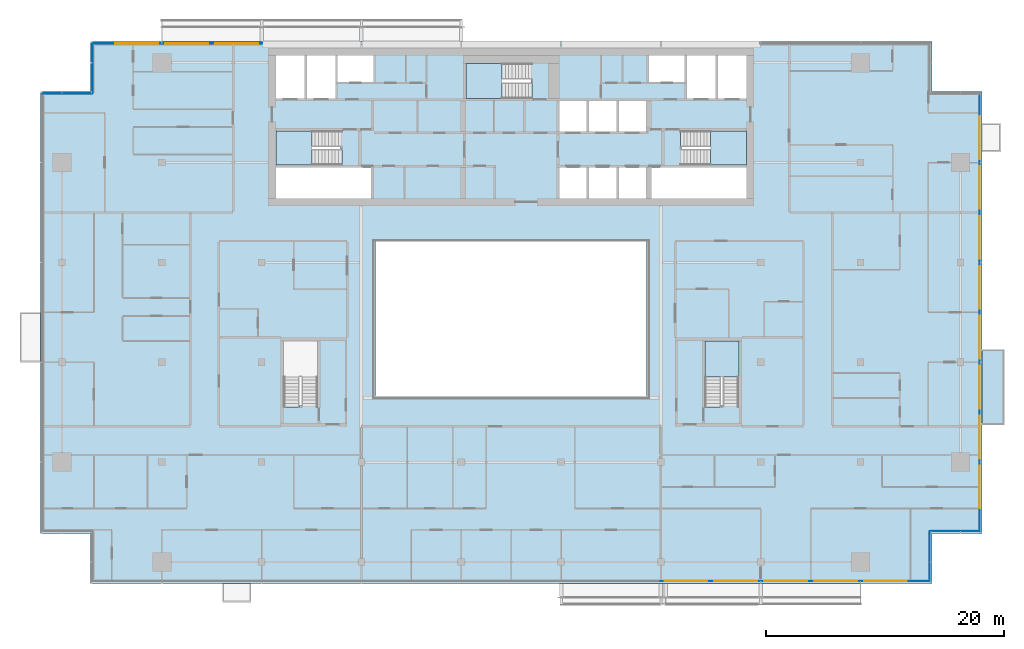
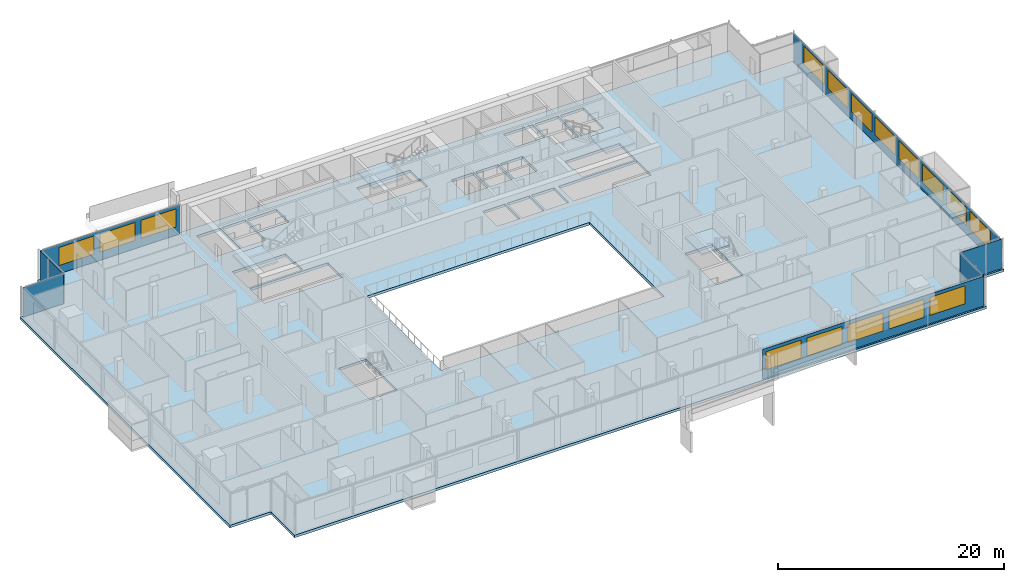
# One storey, part 15 of 27: 16 windows, 7 plates, 6 slabs, 16 openings, 11 elements without a shape of their own.
"""IFC4 building model written with IfcOpenShell, lengths in metres."""

from ifc_helpers import new_model, si_unit, direction, frame, frame_2d, origin, place, context, subcontext, project, spatial, polyline, rectangle, outline, extrude, material, layer, layer_set, type_object, element, fill, aggregate, save


model = new_model("IFC4")

# Units and contexts
model_context = context("Model", 3, precision=1e-05, world=origin(), true_north=direction((0.0, 1.0)))
body_context = subcontext(model_context, "Body", "Model", "MODEL_VIEW")
ifc_project = project(units=[si_unit("LENGTHUNIT", "METRE"), si_unit("AREAUNIT", "SQUARE_METRE"), si_unit("VOLUMEUNIT", "CUBIC_METRE"), si_unit("PLANEANGLEUNIT", "RADIAN"), si_unit("MASSUNIT", "GRAM", prefix="KILO")], contexts=[model_context])

# Site, building, storey
site_placement = place(None, origin())
site = spatial("IfcSite", under=ifc_project, at=site_placement, CompositionType="ELEMENT")
building_placement = place(site_placement, origin())
building = spatial("IfcBuilding", under=site, at=building_placement, Name="Saffron Gate Tower", CompositionType="ELEMENT")
storey_placement = place(building_placement, frame((0.0, 0.0, 234.300048828125)))
storey = spatial("IfcBuildingStorey", under=building, at=storey_placement, Name="L57", CompositionType="ELEMENT", Elevation=234.300048828125)

# Curtain wall, plate, openings, windows
ifc_material_1 = material(Name="Aluminium, bronze anodised", Category="aluminium")
curtain_wall_type_1 = type_object("IfcCurtainWallType", Name="CWS1 curtain wall front facade", PredefinedType="NOTDEFINED", material=ifc_material_1)
curtain_wall_1_placement = place(storey_placement, origin())
curtain_wall_1 = element("IfcCurtainWall", 1, at=curtain_wall_1_placement, inside=storey, type_object=curtain_wall_type_1, Name="CWS1 run 1", PredefinedType="NOTDEFINED")
ifc_material_2 = material(Name="Fritted bronze-tinted laminated glass", Category="glass")
ifc_layer_1 = layer(ifc_material_2, 0.028076171875)
ifc_layer_set_1 = layer_set([ifc_layer_1], Name="CWS1 fixed glass")
plate_type_1 = type_object("IfcPlateType", Name="CWS1 fixed glass", PredefinedType="CURTAIN_PANEL", material=ifc_layer_set_1)
plate_1_placement = place(storey_placement, frame((100.169921875, 30.174072265625, 0.0), z_axis=(0.0, 0.0, 1.0), x_axis=(1.0, 0.0, 0.0)))
plate_1 = element("IfcPlate", 2, at=plate_1_placement, type_object=plate_type_1, Name="CWS1 glass panel", PredefinedType="CURTAIN_PANEL", context=body_context, shape_type="SweptSolid", body=[
    extrude(rectangle(XDim=22.64208984375, YDim=0.028076171875, at=frame_2d((11.321044921875, 0.0))), origin(), (0.0, 0.0, 1.0), 3.199951171875),
])
opening_1_placement = place(plate_1_placement, frame((0.330078125, 0.0, 0.89990234375)))
opening_1 = element("IfcOpeningElement", 3, at=opening_1_placement, cuts=plate_1, Name="Opening W1", PredefinedType="OPENING", context=body_context, shape_type="SweptSolid", body=[
    extrude(rectangle(XDim=3.60009765625, YDim=1.949951171875, at=frame_2d((1.800048828125, 0.97509765625))), frame((0.0, 0.02392578125, 0.0), z_axis=(0.0, -1.0, 0.0), x_axis=(1.0, 0.0, 0.0)), (0.0, 0.0, 1.0), 0.048095703125),
])
opening_2_placement = place(plate_1_placement, frame((4.530029296875, 0.0, 0.89990234375)))
opening_2 = element("IfcOpeningElement", 4, at=opening_2_placement, cuts=plate_1, Name="Opening W1", PredefinedType="OPENING", context=body_context, shape_type="SweptSolid", body=[
    extrude(rectangle(XDim=3.60009765625, YDim=1.949951171875, at=frame_2d((1.800048828125, 0.97509765625))), frame((0.0, 0.02392578125, 0.0), z_axis=(0.0, -1.0, 0.0), x_axis=(1.0, 0.0, 0.0)), (0.0, 0.0, 1.0), 0.048095703125),
])
opening_3_placement = place(plate_1_placement, frame((8.72998046875, 0.0, 0.89990234375)))
opening_3 = element("IfcOpeningElement", 5, at=opening_3_placement, cuts=plate_1, Name="Opening W1", PredefinedType="OPENING", context=body_context, shape_type="SweptSolid", body=[
    extrude(rectangle(XDim=3.60009765625, YDim=1.949951171875, at=frame_2d((1.800048828125, 0.97509765625))), frame((0.0, 0.02392578125, 0.0), z_axis=(0.0, -1.0, 0.0), x_axis=(1.0, 0.0, 0.0)), (0.0, 0.0, 1.0), 0.048095703125),
])
opening_4_placement = place(plate_1_placement, frame((12.929931640625, 0.0, 0.89990234375)))
opening_4 = element("IfcOpeningElement", 6, at=opening_4_placement, cuts=plate_1, Name="Opening W1", PredefinedType="OPENING", context=body_context, shape_type="SweptSolid", body=[
    extrude(rectangle(XDim=3.60009765625, YDim=1.949951171875, at=frame_2d((1.800048828125, 0.97509765625))), frame((0.0, 0.02392578125, 0.0), z_axis=(0.0, -1.0, 0.0), x_axis=(1.0, 0.0, 0.0)), (0.0, 0.0, 1.0), 0.048095703125),
])
opening_5_placement = place(plate_1_placement, frame((17.1298828125, 0.0, 0.89990234375)))
opening_5 = element("IfcOpeningElement", 7, at=opening_5_placement, cuts=plate_1, Name="Opening W1", PredefinedType="OPENING", context=body_context, shape_type="SweptSolid", body=[
    extrude(rectangle(XDim=3.60009765625, YDim=1.949951171875, at=frame_2d((1.800048828125, 0.97509765625))), frame((0.0, 0.02392578125, 0.0), z_axis=(0.0, -1.0, 0.0), x_axis=(1.0, 0.0, 0.0)), (0.0, 0.0, 1.0), 0.048095703125),
])
ifc_material_3 = material(Name="Fritted bronze-tinted laminated glass in bronze frame", Category="glass")
ifc_layer_2 = layer(ifc_material_3, 0.06005859375)
ifc_layer_set_2 = layer_set([ifc_layer_2], Name="W1 operable panel 3600x1950")
window_type = type_object("IfcWindowType", Name="W1 operable panel 3600x1950", PartitioningType="DOUBLE_PANEL_HORIZONTAL", PredefinedType="WINDOW", material=ifc_layer_set_2)
window_1_placement = place(opening_1_placement, origin())
window_1 = element("IfcWindow", 8, at=window_1_placement, type_object=window_type, Name="W1 operable panel", OverallHeight=1.949951171875, OverallWidth=3.60009765625, PartitioningType="SINGLE_PANEL", PredefinedType="WINDOW", context=body_context, shape_type="SweptSolid", body=[
    extrude(rectangle(XDim=3.60009765625, YDim=1.949951171875, at=frame_2d((1.800048828125, 0.97509765625))), frame((0.0, 0.013671875, 0.0), z_axis=(0.0, -1.0, 0.0), x_axis=(1.0, 0.0, 0.0)), (0.0, 0.0, 1.0), 0.027587890625),
])
fill(opening_1, window_1)
window_2_placement = place(opening_2_placement, origin())
window_2 = element("IfcWindow", 9, at=window_2_placement, type_object=window_type, Name="W1 operable panel", OverallHeight=1.949951171875, OverallWidth=3.60009765625, PartitioningType="SINGLE_PANEL", PredefinedType="WINDOW", context=body_context, shape_type="SweptSolid", body=[
    extrude(rectangle(XDim=3.60009765625, YDim=1.949951171875, at=frame_2d((1.800048828125, 0.97509765625))), frame((0.0, 0.013671875, 0.0), z_axis=(0.0, -1.0, 0.0), x_axis=(1.0, 0.0, 0.0)), (0.0, 0.0, 1.0), 0.027587890625),
])
fill(opening_2, window_2)
window_3_placement = place(opening_3_placement, origin())
window_3 = element("IfcWindow", 10, at=window_3_placement, type_object=window_type, Name="W1 operable panel", OverallHeight=1.949951171875, OverallWidth=3.60009765625, PartitioningType="SINGLE_PANEL", PredefinedType="WINDOW", context=body_context, shape_type="SweptSolid", body=[
    extrude(rectangle(XDim=3.60009765625, YDim=1.949951171875, at=frame_2d((1.800048828125, 0.97509765625))), frame((0.0, 0.013671875, 0.0), z_axis=(0.0, -1.0, 0.0), x_axis=(1.0, 0.0, 0.0)), (0.0, 0.0, 1.0), 0.027587890625),
])
fill(opening_3, window_3)
window_4_placement = place(opening_4_placement, origin())
window_4 = element("IfcWindow", 11, at=window_4_placement, type_object=window_type, Name="W1 operable panel", OverallHeight=1.949951171875, OverallWidth=3.60009765625, PartitioningType="SINGLE_PANEL", PredefinedType="WINDOW", context=body_context, shape_type="SweptSolid", body=[
    extrude(rectangle(XDim=3.60009765625, YDim=1.949951171875, at=frame_2d((1.800048828125, 0.97509765625))), frame((0.0, 0.013671875, 0.0), z_axis=(0.0, -1.0, 0.0), x_axis=(1.0, 0.0, 0.0)), (0.0, 0.0, 1.0), 0.027587890625),
])
fill(opening_4, window_4)
window_5_placement = place(opening_5_placement, origin())
window_5 = element("IfcWindow", 12, at=window_5_placement, type_object=window_type, Name="W1 operable panel", OverallHeight=1.949951171875, OverallWidth=3.60009765625, PartitioningType="SINGLE_PANEL", PredefinedType="WINDOW", context=body_context, shape_type="SweptSolid", body=[
    extrude(rectangle(XDim=3.60009765625, YDim=1.949951171875, at=frame_2d((1.800048828125, 0.97509765625))), frame((0.0, 0.013671875, 0.0), z_axis=(0.0, -1.0, 0.0), x_axis=(1.0, 0.0, 0.0)), (0.0, 0.0, 1.0), 0.027587890625),
])
fill(opening_5, window_5)
aggregate(curtain_wall_1, [plate_1, window_1, window_2, window_3, window_4, window_5])

curtain_wall_type_2 = type_object("IfcCurtainWallType", Name="CWS2 curtain wall side facades", PredefinedType="NOTDEFINED", material=ifc_material_1)
curtain_wall_2_placement = place(storey_placement, origin())
curtain_wall_2 = element("IfcCurtainWall", 13, at=curtain_wall_2_placement, inside=storey, type_object=curtain_wall_type_2, Name="CWS2 run 4", PredefinedType="NOTDEFINED")
ifc_layer_3 = layer(ifc_material_2, 0.028076171875)
ifc_layer_set_3 = layer_set([ifc_layer_3], Name="CWS2 fixed glass")
plate_type_2 = type_object("IfcPlateType", Name="CWS2 fixed glass", PredefinedType="CURTAIN_PANEL", material=ifc_layer_set_3)
plate_2_placement = place(storey_placement, frame((127.02587890625, 34.387939453125, 0.0), z_axis=(0.0, 0.0, 1.0), x_axis=(0.0, 1.0, 0.0)))
plate_2 = element("IfcPlate", 14, at=plate_2_placement, type_object=plate_type_2, Name="CWS2 glass panel", PredefinedType="CURTAIN_PANEL", context=body_context, shape_type="SweptSolid", body=[
    extrude(rectangle(XDim=36.823974609375, YDim=0.028076171875, at=frame_2d((18.412109375, 0.0))), origin(), (0.0, 0.0, 1.0), 3.199951171875),
])
opening_6_placement = place(plate_2_placement, frame((1.912109375, 0.0, 0.89990234375)))
opening_6 = element("IfcOpeningElement", 15, at=opening_6_placement, cuts=plate_2, Name="Opening W1", PredefinedType="OPENING", context=body_context, shape_type="SweptSolid", body=[
    extrude(rectangle(XDim=3.60009765625, YDim=1.949951171875, at=frame_2d((1.800048828125, 0.97509765625))), frame((0.0, 0.02392578125, 0.0), z_axis=(0.0, -1.0, 0.0), x_axis=(1.0, 0.0, 0.0)), (0.0, 0.0, 1.0), 0.048095703125),
])
opening_7_placement = place(plate_2_placement, frame((6.112060546875, 0.0, 0.89990234375)))
opening_7 = element("IfcOpeningElement", 16, at=opening_7_placement, cuts=plate_2, Name="Opening W1", PredefinedType="OPENING", context=body_context, shape_type="SweptSolid", body=[
    extrude(rectangle(XDim=3.60009765625, YDim=1.949951171875, at=frame_2d((1.800048828125, 0.97509765625))), frame((0.0, 0.02392578125, 0.0), z_axis=(0.0, -1.0, 0.0), x_axis=(1.0, 0.0, 0.0)), (0.0, 0.0, 1.0), 0.048095703125),
])
opening_8_placement = place(plate_2_placement, frame((10.31201171875, 0.0, 0.89990234375)))
opening_8 = element("IfcOpeningElement", 17, at=opening_8_placement, cuts=plate_2, Name="Opening W1", PredefinedType="OPENING", context=body_context, shape_type="SweptSolid", body=[
    extrude(rectangle(XDim=3.60009765625, YDim=1.949951171875, at=frame_2d((1.800048828125, 0.97509765625))), frame((0.0, 0.02392578125, 0.0), z_axis=(0.0, -1.0, 0.0), x_axis=(1.0, 0.0, 0.0)), (0.0, 0.0, 1.0), 0.048095703125),
])
opening_9_placement = place(plate_2_placement, frame((14.511962890625, 0.0, 0.89990234375)))
opening_9 = element("IfcOpeningElement", 18, at=opening_9_placement, cuts=plate_2, Name="Opening W1", PredefinedType="OPENING", context=body_context, shape_type="SweptSolid", body=[
    extrude(rectangle(XDim=3.60009765625, YDim=1.949951171875, at=frame_2d((1.800048828125, 0.97509765625))), frame((0.0, 0.02392578125, 0.0), z_axis=(0.0, -1.0, 0.0), x_axis=(1.0, 0.0, 0.0)), (0.0, 0.0, 1.0), 0.048095703125),
])
opening_10_placement = place(plate_2_placement, frame((18.7119140625, 0.0, 0.89990234375)))
opening_10 = element("IfcOpeningElement", 19, at=opening_10_placement, cuts=plate_2, Name="Opening W1", PredefinedType="OPENING", context=body_context, shape_type="SweptSolid", body=[
    extrude(rectangle(XDim=3.60009765625, YDim=1.949951171875, at=frame_2d((1.800048828125, 0.97509765625))), frame((0.0, 0.02392578125, 0.0), z_axis=(0.0, -1.0, 0.0), x_axis=(1.0, 0.0, 0.0)), (0.0, 0.0, 1.0), 0.048095703125),
])
opening_11_placement = place(plate_2_placement, frame((22.912109375, 0.0, 0.89990234375)))
opening_11 = element("IfcOpeningElement", 20, at=opening_11_placement, cuts=plate_2, Name="Opening W1", PredefinedType="OPENING", context=body_context, shape_type="SweptSolid", body=[
    extrude(rectangle(XDim=3.60009765625, YDim=1.949951171875, at=frame_2d((1.800048828125, 0.97509765625))), frame((0.0, 0.02392578125, 0.0), z_axis=(0.0, -1.0, 0.0), x_axis=(1.0, 0.0, 0.0)), (0.0, 0.0, 1.0), 0.048095703125),
])
opening_12_placement = place(plate_2_placement, frame((27.112060546875, 0.0, 0.89990234375)))
opening_12 = element("IfcOpeningElement", 21, at=opening_12_placement, cuts=plate_2, Name="Opening W1", PredefinedType="OPENING", context=body_context, shape_type="SweptSolid", body=[
    extrude(rectangle(XDim=3.60009765625, YDim=1.949951171875, at=frame_2d((1.800048828125, 0.97509765625))), frame((0.0, 0.02392578125, 0.0), z_axis=(0.0, -1.0, 0.0), x_axis=(1.0, 0.0, 0.0)), (0.0, 0.0, 1.0), 0.048095703125),
])
opening_13_placement = place(plate_2_placement, frame((31.31201171875, 0.0, 0.89990234375)))
opening_13 = element("IfcOpeningElement", 22, at=opening_13_placement, cuts=plate_2, Name="Opening W1", PredefinedType="OPENING", context=body_context, shape_type="SweptSolid", body=[
    extrude(rectangle(XDim=3.60009765625, YDim=1.949951171875, at=frame_2d((1.800048828125, 0.97509765625))), frame((0.0, 0.02392578125, 0.0), z_axis=(0.0, -1.0, 0.0), x_axis=(1.0, 0.0, 0.0)), (0.0, 0.0, 1.0), 0.048095703125),
])
window_6_placement = place(opening_6_placement, origin())
window_6 = element("IfcWindow", 23, at=window_6_placement, type_object=window_type, Name="W1 operable panel", OverallHeight=1.949951171875, OverallWidth=3.60009765625, PartitioningType="SINGLE_PANEL", PredefinedType="WINDOW", context=body_context, shape_type="SweptSolid", body=[
    extrude(rectangle(XDim=3.60009765625, YDim=1.949951171875, at=frame_2d((1.800048828125, 0.97509765625))), frame((0.0, 0.013671875, 0.0), z_axis=(0.0, -1.0, 0.0), x_axis=(1.0, 0.0, 0.0)), (0.0, 0.0, 1.0), 0.027587890625),
])
fill(opening_6, window_6)
window_7_placement = place(opening_7_placement, origin())
window_7 = element("IfcWindow", 24, at=window_7_placement, type_object=window_type, Name="W1 operable panel", OverallHeight=1.949951171875, OverallWidth=3.60009765625, PartitioningType="SINGLE_PANEL", PredefinedType="WINDOW", context=body_context, shape_type="SweptSolid", body=[
    extrude(rectangle(XDim=3.60009765625, YDim=1.949951171875, at=frame_2d((1.800048828125, 0.97509765625))), frame((0.0, 0.013671875, 0.0), z_axis=(0.0, -1.0, 0.0), x_axis=(1.0, 0.0, 0.0)), (0.0, 0.0, 1.0), 0.027587890625),
])
fill(opening_7, window_7)
window_8_placement = place(opening_8_placement, origin())
window_8 = element("IfcWindow", 25, at=window_8_placement, type_object=window_type, Name="W1 operable panel", OverallHeight=1.949951171875, OverallWidth=3.60009765625, PartitioningType="SINGLE_PANEL", PredefinedType="WINDOW", context=body_context, shape_type="SweptSolid", body=[
    extrude(rectangle(XDim=3.60009765625, YDim=1.949951171875, at=frame_2d((1.800048828125, 0.97509765625))), frame((0.0, 0.013671875, 0.0), z_axis=(0.0, -1.0, 0.0), x_axis=(1.0, 0.0, 0.0)), (0.0, 0.0, 1.0), 0.027587890625),
])
fill(opening_8, window_8)
window_9_placement = place(opening_9_placement, origin())
window_9 = element("IfcWindow", 26, at=window_9_placement, type_object=window_type, Name="W1 operable panel", OverallHeight=1.949951171875, OverallWidth=3.60009765625, PartitioningType="SINGLE_PANEL", PredefinedType="WINDOW", context=body_context, shape_type="SweptSolid", body=[
    extrude(rectangle(XDim=3.60009765625, YDim=1.949951171875, at=frame_2d((1.800048828125, 0.97509765625))), frame((0.0, 0.013671875, 0.0), z_axis=(0.0, -1.0, 0.0), x_axis=(1.0, 0.0, 0.0)), (0.0, 0.0, 1.0), 0.027587890625),
])
fill(opening_9, window_9)
window_10_placement = place(opening_10_placement, origin())
window_10 = element("IfcWindow", 27, at=window_10_placement, type_object=window_type, Name="W1 operable panel", OverallHeight=1.949951171875, OverallWidth=3.60009765625, PartitioningType="SINGLE_PANEL", PredefinedType="WINDOW", context=body_context, shape_type="SweptSolid", body=[
    extrude(rectangle(XDim=3.60009765625, YDim=1.949951171875, at=frame_2d((1.800048828125, 0.97509765625))), frame((0.0, 0.013671875, 0.0), z_axis=(0.0, -1.0, 0.0), x_axis=(1.0, 0.0, 0.0)), (0.0, 0.0, 1.0), 0.027587890625),
])
fill(opening_10, window_10)
window_11_placement = place(opening_11_placement, origin())
window_11 = element("IfcWindow", 28, at=window_11_placement, type_object=window_type, Name="W1 operable panel", OverallHeight=1.949951171875, OverallWidth=3.60009765625, PartitioningType="SINGLE_PANEL", PredefinedType="WINDOW", context=body_context, shape_type="SweptSolid", body=[
    extrude(rectangle(XDim=3.60009765625, YDim=1.949951171875, at=frame_2d((1.800048828125, 0.97509765625))), frame((0.0, 0.013671875, 0.0), z_axis=(0.0, -1.0, 0.0), x_axis=(1.0, 0.0, 0.0)), (0.0, 0.0, 1.0), 0.027587890625),
])
fill(opening_11, window_11)
window_12_placement = place(opening_12_placement, origin())
window_12 = element("IfcWindow", 29, at=window_12_placement, type_object=window_type, Name="W1 operable panel", OverallHeight=1.949951171875, OverallWidth=3.60009765625, PartitioningType="SINGLE_PANEL", PredefinedType="WINDOW", context=body_context, shape_type="SweptSolid", body=[
    extrude(rectangle(XDim=3.60009765625, YDim=1.949951171875, at=frame_2d((1.800048828125, 0.97509765625))), frame((0.0, 0.013671875, 0.0), z_axis=(0.0, -1.0, 0.0), x_axis=(1.0, 0.0, 0.0)), (0.0, 0.0, 1.0), 0.027587890625),
])
fill(opening_12, window_12)
window_13_placement = place(opening_13_placement, origin())
window_13 = element("IfcWindow", 30, at=window_13_placement, type_object=window_type, Name="W1 operable panel", OverallHeight=1.949951171875, OverallWidth=3.60009765625, PartitioningType="SINGLE_PANEL", PredefinedType="WINDOW", context=body_context, shape_type="SweptSolid", body=[
    extrude(rectangle(XDim=3.60009765625, YDim=1.949951171875, at=frame_2d((1.800048828125, 0.97509765625))), frame((0.0, 0.013671875, 0.0), z_axis=(0.0, -1.0, 0.0), x_axis=(1.0, 0.0, 0.0)), (0.0, 0.0, 1.0), 0.027587890625),
])
fill(opening_13, window_13)
aggregate(curtain_wall_2, [plate_2, window_6, window_7, window_8, window_9, window_10, window_11, window_12, window_13])

curtain_wall_type_3 = type_object("IfcCurtainWallType", Name="CWS3 curtain wall rear facade", PredefinedType="NOTDEFINED", material=ifc_material_1)
curtain_wall_3_placement = place(storey_placement, origin())
curtain_wall_3 = element("IfcCurtainWall", 31, at=curtain_wall_3_placement, inside=storey, type_object=curtain_wall_type_3, Name="CWS3 run 7", PredefinedType="NOTDEFINED")
ifc_material_4 = material(Name="Fritted grey-tinted laminated glass", Category="glass")
ifc_layer_4 = layer(ifc_material_4, 0.028076171875)
ifc_layer_set_4 = layer_set([ifc_layer_4], Name="CWS3 fixed glass")
plate_type_3 = type_object("IfcPlateType", Name="CWS3 fixed glass", PredefinedType="CURTAIN_PANEL", material=ifc_layer_set_4)
plate_3_placement = place(storey_placement, frame((66.635009765625, 75.426025390625, 0.0), z_axis=(0.0, 0.0, 1.0), x_axis=(-1.0, 0.0, 0.0)))
plate_3 = element("IfcPlate", 32, at=plate_3_placement, type_object=plate_type_3, Name="CWS3 glass panel", PredefinedType="CURTAIN_PANEL", context=body_context, shape_type="SweptSolid", body=[
    extrude(rectangle(XDim=14.2470703125, YDim=0.028076171875, at=frame_2d((7.12353515625, 0.0))), origin(), (0.0, 0.0, 1.0), 3.199951171875),
])
opening_14_placement = place(plate_3_placement, frame((0.3349609375, 0.0, 0.89990234375)))
opening_14 = element("IfcOpeningElement", 33, at=opening_14_placement, cuts=plate_3, Name="Opening W1", PredefinedType="OPENING", context=body_context, shape_type="SweptSolid", body=[
    extrude(rectangle(XDim=3.60009765625, YDim=1.949951171875, at=frame_2d((1.800048828125, 0.97509765625))), frame((0.0, 0.02392578125, 0.0), z_axis=(0.0, -1.0, 0.0), x_axis=(1.0, 0.0, 0.0)), (0.0, 0.0, 1.0), 0.048095703125),
])
opening_15_placement = place(plate_3_placement, frame((4.534912109375, 0.0, 0.89990234375)))
opening_15 = element("IfcOpeningElement", 34, at=opening_15_placement, cuts=plate_3, Name="Opening W1", PredefinedType="OPENING", context=body_context, shape_type="SweptSolid", body=[
    extrude(rectangle(XDim=3.60009765625, YDim=1.949951171875, at=frame_2d((1.800048828125, 0.97509765625))), frame((0.0, 0.02392578125, 0.0), z_axis=(0.0, -1.0, 0.0), x_axis=(1.0, 0.0, 0.0)), (0.0, 0.0, 1.0), 0.048095703125),
])
opening_16_placement = place(plate_3_placement, frame((8.735107421875, 0.0, 0.89990234375)))
opening_16 = element("IfcOpeningElement", 35, at=opening_16_placement, cuts=plate_3, Name="Opening W1", PredefinedType="OPENING", context=body_context, shape_type="SweptSolid", body=[
    extrude(rectangle(XDim=3.60009765625, YDim=1.949951171875, at=frame_2d((1.800048828125, 0.97509765625))), frame((0.0, 0.02392578125, 0.0), z_axis=(0.0, -1.0, 0.0), x_axis=(1.0, 0.0, 0.0)), (0.0, 0.0, 1.0), 0.048095703125),
])
window_14_placement = place(opening_14_placement, origin())
window_14 = element("IfcWindow", 36, at=window_14_placement, type_object=window_type, Name="W1 operable panel", OverallHeight=1.949951171875, OverallWidth=3.60009765625, PartitioningType="SINGLE_PANEL", PredefinedType="WINDOW", context=body_context, shape_type="SweptSolid", body=[
    extrude(rectangle(XDim=3.60009765625, YDim=1.949951171875, at=frame_2d((1.800048828125, 0.97509765625))), frame((0.0, 0.013671875, 0.0), z_axis=(0.0, -1.0, 0.0), x_axis=(1.0, 0.0, 0.0)), (0.0, 0.0, 1.0), 0.027587890625),
])
fill(opening_14, window_14)
window_15_placement = place(opening_15_placement, origin())
window_15 = element("IfcWindow", 37, at=window_15_placement, type_object=window_type, Name="W1 operable panel", OverallHeight=1.949951171875, OverallWidth=3.60009765625, PartitioningType="SINGLE_PANEL", PredefinedType="WINDOW", context=body_context, shape_type="SweptSolid", body=[
    extrude(rectangle(XDim=3.60009765625, YDim=1.949951171875, at=frame_2d((1.800048828125, 0.97509765625))), frame((0.0, 0.013671875, 0.0), z_axis=(0.0, -1.0, 0.0), x_axis=(1.0, 0.0, 0.0)), (0.0, 0.0, 1.0), 0.027587890625),
])
fill(opening_15, window_15)
window_16_placement = place(opening_16_placement, origin())
window_16 = element("IfcWindow", 38, at=window_16_placement, type_object=window_type, Name="W1 operable panel", OverallHeight=1.949951171875, OverallWidth=3.60009765625, PartitioningType="SINGLE_PANEL", PredefinedType="WINDOW", context=body_context, shape_type="SweptSolid", body=[
    extrude(rectangle(XDim=3.60009765625, YDim=1.949951171875, at=frame_2d((1.800048828125, 0.97509765625))), frame((0.0, 0.013671875, 0.0), z_axis=(0.0, -1.0, 0.0), x_axis=(1.0, 0.0, 0.0)), (0.0, 0.0, 1.0), 0.027587890625),
])
fill(opening_16, window_16)
aggregate(curtain_wall_3, [plate_3, window_14, window_15, window_16])

# Curtain wall, plate
curtain_wall_type_4 = type_object("IfcCurtainWallType", Name="CWS4 curtain wall corner returns", PredefinedType="NOTDEFINED", material=ifc_material_1)
curtain_wall_4_placement = place(storey_placement, origin())
curtain_wall_4 = element("IfcCurtainWall", 39, at=curtain_wall_4_placement, inside=storey, type_object=curtain_wall_type_4, Name="CWS4 run 2", PredefinedType="NOTDEFINED")
ifc_layer_5 = layer(ifc_material_2, 0.028076171875)
ifc_layer_set_5 = layer_set([ifc_layer_5], Name="CWS4 fixed glass")
plate_type_4 = type_object("IfcPlateType", Name="CWS4 fixed glass", PredefinedType="CURTAIN_PANEL", material=ifc_layer_set_5)
plate_4_placement = place(storey_placement, frame((122.825927734375, 30.18798828125, 0.0), z_axis=(0.0, 0.0, 1.0), x_axis=(0.0, 1.0, 0.0)))
plate_4 = element("IfcPlate", 40, at=plate_4_placement, type_object=plate_type_4, Name="CWS4 glass panel", PredefinedType="CURTAIN_PANEL", context=body_context, shape_type="SweptSolid", body=[
    extrude(rectangle(XDim=4.172119140625, YDim=0.028076171875, at=frame_2d((2.0859375, 0.0))), origin(), (0.0, 0.0, 1.0), 3.199951171875),
])
aggregate(curtain_wall_4, [plate_4])

curtain_wall_5_placement = place(storey_placement, origin())
curtain_wall_5 = element("IfcCurtainWall", 41, at=curtain_wall_5_placement, inside=storey, type_object=curtain_wall_type_4, Name="CWS4 run 3", PredefinedType="NOTDEFINED")
plate_5_placement = place(storey_placement, frame((122.840087890625, 34.3740234375, 0.0), z_axis=(0.0, 0.0, 1.0), x_axis=(1.0, 0.0, 0.0)))
plate_5 = element("IfcPlate", 42, at=plate_5_placement, type_object=plate_type_4, Name="CWS4 glass panel", PredefinedType="CURTAIN_PANEL", context=body_context, shape_type="SweptSolid", body=[
    extrude(rectangle(XDim=4.171875, YDim=0.028076171875, at=frame_2d((2.0859375, 0.0))), origin(), (0.0, 0.0, 1.0), 3.199951171875),
])
aggregate(curtain_wall_5, [plate_5])

curtain_wall_6_placement = place(storey_placement, origin())
curtain_wall_6 = element("IfcCurtainWall", 43, at=curtain_wall_6_placement, inside=storey, type_object=curtain_wall_type_4, Name="CWS4 run 8", PredefinedType="NOTDEFINED")
plate_6_placement = place(storey_placement, frame((52.3740234375, 75.412109375, 0.0), z_axis=(0.0, 0.0, 1.0), x_axis=(0.0, -1.0, 0.0)))
plate_6 = element("IfcPlate", 44, at=plate_6_placement, type_object=plate_type_4, Name="CWS4 glass panel", PredefinedType="CURTAIN_PANEL", context=body_context, shape_type="SweptSolid", body=[
    extrude(rectangle(XDim=4.172119140625, YDim=0.028076171875, at=frame_2d((2.0859375, 0.0))), origin(), (0.0, 0.0, 1.0), 3.199951171875),
])
aggregate(curtain_wall_6, [plate_6])

curtain_wall_7_placement = place(storey_placement, origin())
curtain_wall_7 = element("IfcCurtainWall", 45, at=curtain_wall_7_placement, inside=storey, type_object=curtain_wall_type_4, Name="CWS4 run 9", PredefinedType="NOTDEFINED")
plate_7_placement = place(storey_placement, frame((52.360107421875, 71.22607421875, 0.0), z_axis=(0.0, 0.0, 1.0), x_axis=(-1.0, 0.0, 0.0)))
plate_7 = element("IfcPlate", 46, at=plate_7_placement, type_object=plate_type_4, Name="CWS4 glass panel", PredefinedType="CURTAIN_PANEL", context=body_context, shape_type="SweptSolid", body=[
    extrude(rectangle(XDim=4.172119140625, YDim=0.028076171875, at=frame_2d((2.0859375, 0.0))), origin(), (0.0, 0.0, 1.0), 3.199951171875),
])
aggregate(curtain_wall_7, [plate_7])

# Slab
ifc_material_5 = material(Name="Concrete C40", Category="concrete")
ifc_layer_6 = layer(ifc_material_5, 0.280029296875)
ifc_layer_set_6 = layer_set([ifc_layer_6], Name="S2 FLOOR SLAB 280 CONCRETE C40")
slab_type_1 = type_object("IfcSlabType", Name="S2 FLOOR SLAB 280 CONCRETE C40", PredefinedType="FLOOR", material=ifc_layer_set_6)
slab_1_placement = place(storey_placement, frame((0.0, 0.0, -0.280029296875)))
element("IfcSlab", 47, at=slab_1_placement, inside=storey, type_object=slab_type_1, Name="S2 FLOOR SLAB", PredefinedType="FLOOR", context=body_context, shape_type="SweptSolid", body=[
    extrude(outline(polyline([(48.0, 34.199951171875), (52.199951171875, 34.199951171875), (52.199951171875, 30.0), (123.0, 30.0), (123.0, 34.199951171875), (127.199951171875, 34.199951171875), (127.199951171875, 71.39990234375), (123.0, 71.39990234375), (123.0, 75.60009765625), (52.199951171875, 75.60009765625), (52.199951171875, 71.39990234375), (48.0, 71.39990234375), (48.0, 34.199951171875)]), holes=[polyline([(67.800048828125, 62.39990234375), (67.800048828125, 65.0), (75.800048828125, 65.0), (75.800048828125, 62.39990234375), (67.800048828125, 62.39990234375)]), polyline([(67.800048828125, 65.199951171875), (67.800048828125, 68.050048828125), (73.25, 68.050048828125), (73.25, 66.550048828125), (73.34912109375, 66.550048828125), (73.34912109375, 65.199951171875), (67.800048828125, 65.199951171875)]), polyline([(67.800048828125, 70.800048828125), (67.800048828125, 74.39990234375), (70.199951171875, 74.39990234375), (70.199951171875, 70.800048828125), (67.800048828125, 70.800048828125)]), polyline([(68.449951171875, 44.85107421875), (68.449951171875, 50.39990234375), (71.300048828125, 50.39990234375), (71.300048828125, 44.949951171875), (69.800048828125, 44.949951171875), (69.800048828125, 44.85107421875), (68.449951171875, 44.85107421875)]), polyline([(70.39990234375, 70.800048828125), (70.39990234375, 74.39990234375), (72.800048828125, 74.39990234375), (72.800048828125, 70.800048828125), (70.39990234375, 70.800048828125)]), polyline([(73.0, 72.199951171875), (73.0, 74.39990234375), (76.0, 74.39990234375), (76.0, 72.199951171875), (73.0, 72.199951171875)]), polyline([(76.199951171875, 45.60009765625), (76.199951171875, 58.800048828125), (99.0, 58.800048828125), (99.0, 45.60009765625), (76.199951171875, 45.60009765625)]), polyline([(83.800048828125, 70.800048828125), (83.800048828125, 73.75), (89.25, 73.75), (89.25, 72.14990234375), (89.34912109375, 72.14990234375), (89.34912109375, 70.800048828125), (83.800048828125, 70.800048828125)]), polyline([(91.64990234375, 62.39990234375), (91.64990234375, 65.0), (93.949951171875, 65.0), (93.949951171875, 62.39990234375), (91.64990234375, 62.39990234375)]), polyline([(91.64990234375, 68.0), (91.64990234375, 70.60009765625), (93.949951171875, 70.60009765625), (93.949951171875, 68.0), (91.64990234375, 68.0)]), polyline([(94.14990234375, 62.39990234375), (94.14990234375, 65.0), (96.449951171875, 65.0), (96.449951171875, 62.39990234375), (94.14990234375, 62.39990234375)]), polyline([(94.14990234375, 68.0), (94.14990234375, 70.60009765625), (96.449951171875, 70.60009765625), (96.449951171875, 68.0), (94.14990234375, 68.0)]), polyline([(96.64990234375, 62.39990234375), (96.64990234375, 65.0), (98.949951171875, 65.0), (98.949951171875, 62.39990234375), (96.64990234375, 62.39990234375)]), polyline([(96.64990234375, 68.0), (96.64990234375, 70.60009765625), (98.949951171875, 70.60009765625), (98.949951171875, 68.0), (96.64990234375, 68.0)]), polyline([(99.199951171875, 72.199951171875), (99.199951171875, 74.39990234375), (102.199951171875, 74.39990234375), (102.199951171875, 72.199951171875), (99.199951171875, 72.199951171875)]), polyline([(99.39990234375, 62.39990234375), (99.39990234375, 65.0), (107.39990234375, 65.0), (107.39990234375, 62.39990234375), (99.39990234375, 62.39990234375)]), polyline([(101.85107421875, 66.699951171875), (101.85107421875, 68.050048828125), (107.39990234375, 68.050048828125), (107.39990234375, 65.199951171875), (101.949951171875, 65.199951171875), (101.949951171875, 66.699951171875), (101.85107421875, 66.699951171875)]), polyline([(102.39990234375, 70.800048828125), (102.39990234375, 74.39990234375), (104.800048828125, 74.39990234375), (104.800048828125, 70.800048828125), (102.39990234375, 70.800048828125)]), polyline([(103.89990234375, 44.85107421875), (103.89990234375, 50.39990234375), (106.75, 50.39990234375), (106.75, 44.949951171875), (105.25, 44.949951171875), (105.25, 44.85107421875), (103.89990234375, 44.85107421875)]), polyline([(105.0, 70.800048828125), (105.0, 74.39990234375), (107.39990234375, 74.39990234375), (107.39990234375, 70.800048828125), (105.0, 70.800048828125)])]), origin(), (0.0, 0.0, 1.0), 0.280029296875),
])

# Stair, slab
stair_type = type_object("IfcStairType", Name="ST7 Stair 1350 wide, 20 risers of 180", PredefinedType="HALF_TURN_STAIR", material=ifc_material_5)
stair_1_placement = place(storey_placement, origin())
stair_1 = element("IfcStair", 48, at=stair_1_placement, inside=storey, type_object=stair_type, Name="L57 Exit stair A", PredefinedType="HALF_TURN_STAIR")
ifc_layer_7 = layer(ifc_material_5, 0.199951171875)
ifc_layer_set_7 = layer_set([ifc_layer_7], Name="SL1 Stair landing 200")
slab_type_2 = type_object("IfcSlabType", Name="SL1 Stair landing 200", PredefinedType="LANDING", material=ifc_layer_set_7)
slab_2_placement = place(storey_placement, frame((0.0, 0.0, 1.599853515625)))
slab_2 = element("IfcSlab", 49, at=slab_2_placement, type_object=slab_type_2, Name="ST-A landing 1", PredefinedType="LANDING", context=body_context, shape_type="SweptSolid", body=[
    extrude(outline(polyline([(70.830078125, 68.050048828125), (67.800048828125, 68.050048828125), (67.800048828125, 65.199951171875), (70.830078125, 65.199951171875), (70.830078125, 68.050048828125)])), origin(), (0.0, 0.0, 1.0), 0.2001953125),
])
aggregate(stair_1, [slab_2])

stair_2_placement = place(storey_placement, origin())
stair_2 = element("IfcStair", 50, at=stair_2_placement, inside=storey, type_object=stair_type, Name="L57 Exit stair B", PredefinedType="HALF_TURN_STAIR")
slab_3_placement = place(storey_placement, frame((0.0, 0.0, 1.599853515625)))
slab_3 = element("IfcSlab", 51, at=slab_3_placement, type_object=slab_type_2, Name="ST-B landing 1", PredefinedType="LANDING", context=body_context, shape_type="SweptSolid", body=[
    extrude(outline(polyline([(104.3701171875, 65.199951171875), (107.39990234375, 65.199951171875), (107.39990234375, 68.050048828125), (104.3701171875, 68.050048828125), (104.3701171875, 65.199951171875)])), origin(), (0.0, 0.0, 1.0), 0.2001953125),
])
aggregate(stair_2, [slab_3])

stair_3_placement = place(storey_placement, origin())
stair_3 = element("IfcStair", 52, at=stair_3_placement, inside=storey, type_object=stair_type, Name="L57 Exit stair C", PredefinedType="HALF_TURN_STAIR")
slab_4_placement = place(storey_placement, frame((0.0, 0.0, 1.599853515625)))
slab_4 = element("IfcSlab", 53, at=slab_4_placement, type_object=slab_type_2, Name="ST-C landing 1", PredefinedType="LANDING", context=body_context, shape_type="SweptSolid", body=[
    extrude(outline(polyline([(86.830078125, 73.75), (83.800048828125, 73.75), (83.800048828125, 70.800048828125), (86.830078125, 70.800048828125), (86.830078125, 73.75)])), origin(), (0.0, 0.0, 1.0), 0.2001953125),
])
aggregate(stair_3, [slab_4])

stair_4_placement = place(storey_placement, origin())
stair_4 = element("IfcStair", 54, at=stair_4_placement, inside=storey, type_object=stair_type, Name="L57 Exit stair E", PredefinedType="HALF_TURN_STAIR")
slab_5_placement = place(storey_placement, frame((0.0, 0.0, 1.599853515625)))
slab_5 = element("IfcSlab", 55, at=slab_5_placement, type_object=slab_type_2, Name="ST-E landing 1", PredefinedType="LANDING", context=body_context, shape_type="SweptSolid", body=[
    extrude(outline(polyline([(106.75, 47.3701171875), (106.75, 50.39990234375), (103.89990234375, 50.39990234375), (103.89990234375, 47.3701171875), (106.75, 47.3701171875)])), origin(), (0.0, 0.0, 1.0), 0.2001953125),
])
aggregate(stair_4, [slab_5])

# Slab
ifc_material_6 = material(Name="Timber deck on bronze frame", Category="wood")
ifc_layer_8 = layer(ifc_material_6, 0.199951171875)
ifc_layer_set_8 = layer_set([ifc_layer_8], Name="WB1 box floor")
slab_type_3 = type_object("IfcSlabType", Name="WB1 box floor", PredefinedType="FLOOR", material=ifc_layer_set_8)
slab_6_placement = place(storey_placement, frame((0.0, 0.0, -0.199951171875)))
element("IfcSlab", 56, at=slab_6_placement, inside=storey, type_object=slab_type_3, Name="WINDOW BOX floor", PredefinedType="FLOOR", context=body_context, shape_type="SweptSolid", body=[
    extrude(outline(polyline([(127.199951171875, 43.35009765625), (127.199951171875, 49.64990234375), (129.06689453125, 49.64990234375), (129.06689453125, 43.35009765625), (127.199951171875, 43.35009765625)])), origin(), (0.0, 0.0, 1.0), 0.199951171875),
])

save(model, "model.ifc")
